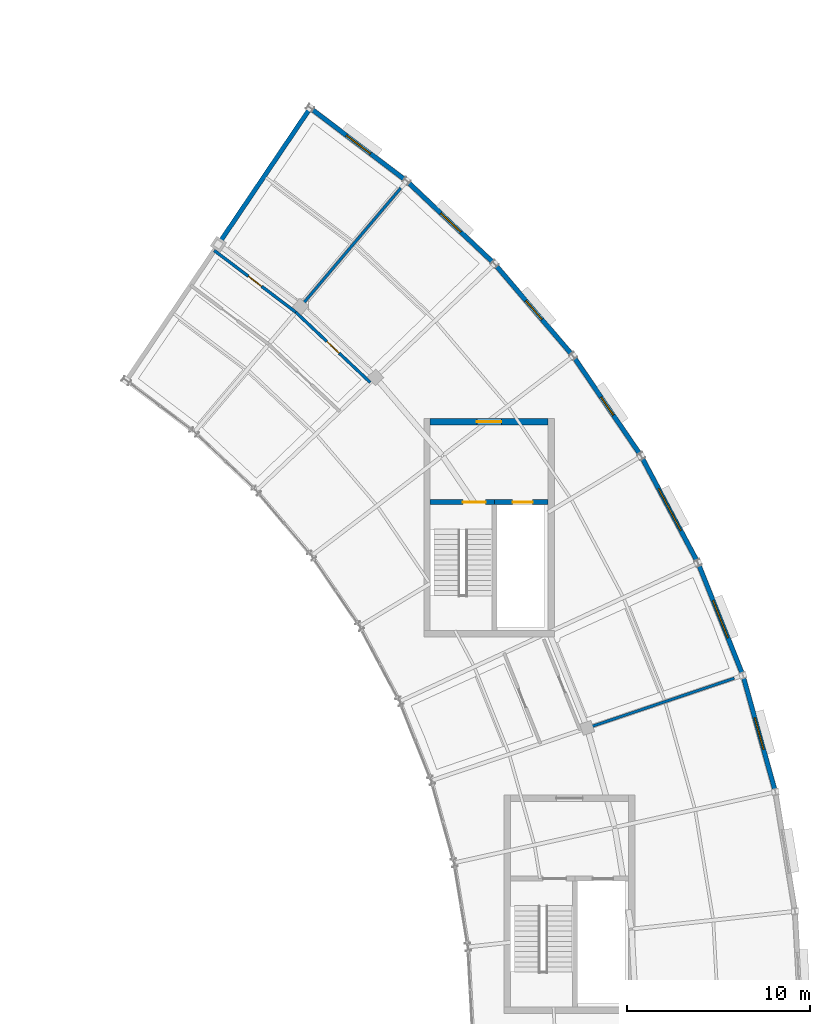
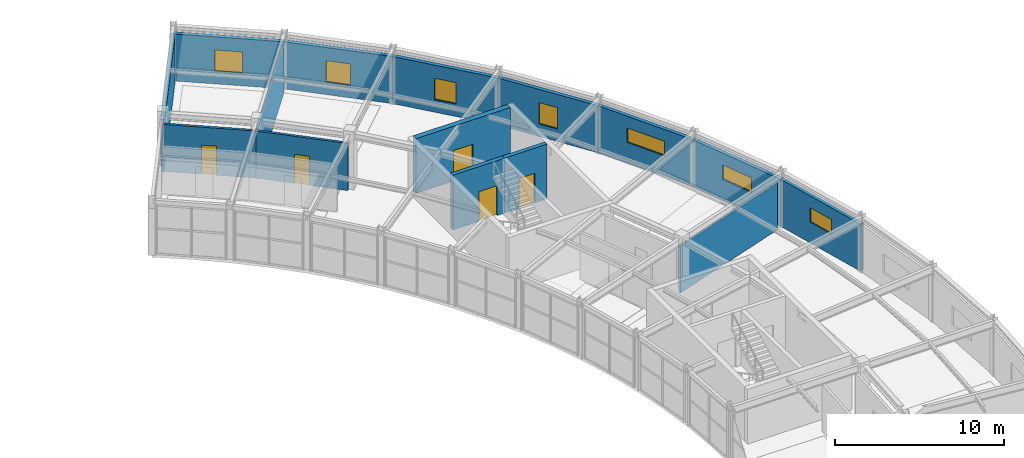
# One storey, part 50 of 63: 15 walls, 7 windows, 5 doors, 12 openings.
"""IFC4 building model written with IfcOpenShell, lengths in metres."""

from ifc_helpers import new_model, si_unit, direction, frame, frame_2d, origin, place, context, subcontext, project, spatial, rectangle, extrude, material, layer, layer_set, type_object, element, fill, save


model = new_model("IFC4")

# Units and contexts
model_context = context("Model", 3, precision=1e-05, world=origin(), true_north=direction((0.0, 1.0)))
body_context = subcontext(model_context, "Body", "Model", "MODEL_VIEW")
ifc_project = project(units=[si_unit("LENGTHUNIT", "METRE"), si_unit("AREAUNIT", "SQUARE_METRE"), si_unit("VOLUMEUNIT", "CUBIC_METRE"), si_unit("PLANEANGLEUNIT", "RADIAN"), si_unit("MASSUNIT", "GRAM", prefix="KILO")], contexts=[model_context])

# Site, building, storey
site_placement = place(None, origin())
site = spatial("IfcSite", under=ifc_project, at=site_placement, CompositionType="ELEMENT")
building_placement = place(site_placement, origin())
building = spatial("IfcBuilding", under=site, at=building_placement, Name="Tarnveldt Headland Concert Hall", CompositionType="ELEMENT")
storey_placement = place(building_placement, frame((0.0, 0.0, 14.39990234375)))
storey = spatial("IfcBuildingStorey", under=building, at=storey_placement, Name="L03", CompositionType="ELEMENT", Elevation=14.39990234375)

# Wall, opening, door
ifc_material_1 = material(Name="Concrete C40/50", Category="concrete")
ifc_layer_1 = layer(ifc_material_1, 0.35009765625, Name="Concrete C40/50", Category="concrete")
ifc_layer_set_1 = layer_set([ifc_layer_1], Name="Concrete C40/50")
wall_type_1 = type_object("IfcWallType", Name="WL-CR350", PredefinedType="SHEAR", material=ifc_layer_set_1)
wall_1_placement = place(storey_placement, frame((158.175048828125, 93.39990234375, 0.0), z_axis=(0.0, 0.0, 1.0), x_axis=(1.0, 0.0, 0.0)))
wall_1 = element("IfcWall", 1, at=wall_1_placement, inside=storey, type_object=wall_type_1, Name="Core C3 north shear wall L03", PredefinedType="SHEAR", context=body_context, shape_type="SweptSolid", body=[
    extrude(rectangle(XDim=6.449951171875, YDim=0.35009765625, at=frame_2d((3.22509765625, 0.0))), origin(), (0.0, 0.0, 1.0), 3.960205078125),
])
opening_1_placement = place(wall_1_placement, frame((2.550048828125, 0.0, 0.0)))
opening_1 = element("IfcOpeningElement", 2, at=opening_1_placement, cuts=wall_1, Name="Opening FFD-C3-L03", PredefinedType="OPENING", context=body_context, shape_type="SweptSolid", body=[
    extrude(rectangle(XDim=1.35009765625, YDim=2.199951171875, at=frame_2d((0.675048828125, 1.10009765625))), frame((0.0, 0.18505859375, 0.0), z_axis=(0.0, -1.0, 0.0), x_axis=(1.0, 0.0, 0.0)), (0.0, 0.0, 1.0), 0.3701171875),
])
ifc_material_2 = material(Name="Galvanised painted steel sheet", Category="steel")
door_type_1 = type_object("IfcDoorType", Name="DR-FF135", OperationType="NOTDEFINED", PredefinedType="DOOR", material=ifc_material_2)
door_1_placement = place(opening_1_placement, origin())
door_1 = element("IfcDoor", 3, at=door_1_placement, inside=storey, type_object=door_type_1, Name="Core C3 firefighting lobby entrance door L03", OperationType="SINGLE_SWING_LEFT", OverallHeight=2.199951171875, OverallWidth=1.35009765625, PredefinedType="DOOR", context=body_context, shape_type="SweptSolid", body=[
    extrude(rectangle(XDim=1.35009765625, YDim=2.199951171875, at=frame_2d((0.675048828125, 1.10009765625))), frame((0.0, 0.02490234375, 0.0), z_axis=(0.0, -1.0, 0.0), x_axis=(1.0, 0.0, 0.0)), (0.0, 0.0, 1.0), 0.050048828125),
])
fill(opening_1, door_1)

# Wall, opening, window
ifc_material_3 = material(Name="Coral-toned precast concrete C40/50", Category="concrete")
ifc_layer_2 = layer(ifc_material_3, 0.25, Name="Coral-toned precast concrete C40/50", Category="concrete")
ifc_layer_set_2 = layer_set([ifc_layer_2], Name="Coral-toned precast concrete C40/50")
wall_type_2 = type_object("IfcWallType", Name="WL-EX250", PredefinedType="SOLIDWALL", material=ifc_layer_set_2)
wall_2_placement = place(storey_placement, frame((175.296630859375, 79.50439453125, 0.0), z_axis=(0.0, 0.0, 1.0), x_axis=(0.268139380464, -0.96338012884, 0.0)))
wall_2 = element("IfcWall", 4, at=wall_2_placement, inside=storey, type_object=wall_type_2, Name="External precast wall L03-152", PredefinedType="SOLIDWALL", context=body_context, shape_type="SweptSolid", body=[
    extrude(rectangle(XDim=6.5810546875, YDim=0.25, at=frame_2d((3.29052734375, 0.0))), origin(), (0.0, 0.0, 1.0), 3.398193359375),
])
opening_2_placement = place(wall_2_placement, frame((2.390625, 0.0, 1.5)))
opening_2 = element("IfcOpeningElement", 5, at=opening_2_placement, cuts=wall_2, Name="Opening W-C074", PredefinedType="OPENING", context=body_context, shape_type="SweptSolid", body=[
    extrude(rectangle(XDim=1.800048828125, YDim=1.050048828125, at=frame_2d((0.89990234375, 0.52490234375))), frame((0.0, 0.135009765625, 0.0), z_axis=(0.0, -1.0, 0.0), x_axis=(1.0, 0.0, 0.0)), (0.0, 0.0, 1.0), 0.27001953125),
])
ifc_material_4 = material(Name="Acoustic laminated low-iron double glazing", Category="glass")
window_type_1 = type_object("IfcWindowType", Name="WN-24", PartitioningType="SINGLE_PANEL", PredefinedType="WINDOW", material=ifc_material_4)
window_1_placement = place(opening_2_placement, origin())
window_1 = element("IfcWindow", 6, at=window_1_placement, inside=storey, type_object=window_type_1, Name="Crescent coastal studio window L03-12", OverallHeight=1.050048828125, OverallWidth=1.800048828125, PartitioningType="SINGLE_PANEL", PredefinedType="WINDOW", context=body_context, shape_type="SweptSolid", body=[
    extrude(rectangle(XDim=1.800048828125, YDim=1.050048828125, at=frame_2d((0.89990234375, 0.52490234375))), frame((0.0, 0.030029296875, 0.0), z_axis=(0.0, -1.0, 0.0), x_axis=(1.0, 0.0, 0.0)), (0.0, 0.0, 1.0), 0.06005859375),
])
fill(opening_2, window_1)

wall_3_placement = place(storey_placement, frame((172.842041015625, 85.65380859375, 0.0), z_axis=(0.0, 0.0, 1.0), x_axis=(0.371013273361, -0.928627563122, 0.0)))
wall_3 = element("IfcWall", 7, at=wall_3_placement, inside=storey, type_object=wall_type_2, Name="External precast wall L03-153", PredefinedType="SOLIDWALL", context=body_context, shape_type="SweptSolid", body=[
    extrude(rectangle(XDim=6.5810546875, YDim=0.25, at=frame_2d((3.29052734375, 0.0))), origin(), (0.0, 0.0, 1.0), 3.398193359375),
])
opening_3_placement = place(wall_3_placement, frame((2.190673828125, 0.0, 1.5)))
opening_3 = element("IfcOpeningElement", 8, at=opening_3_placement, cuts=wall_3, Name="Opening W-C075", PredefinedType="OPENING", context=body_context, shape_type="SweptSolid", body=[
    extrude(rectangle(XDim=2.199951171875, YDim=1.050048828125, at=frame_2d((1.10009765625, 0.52490234375))), frame((0.0, 0.135009765625, 0.0), z_axis=(0.0, -1.0, 0.0), x_axis=(1.0, 0.0, 0.0)), (0.0, 0.0, 1.0), 0.27001953125),
])
window_type_2 = type_object("IfcWindowType", Name="WN-25", PartitioningType="SINGLE_PANEL", PredefinedType="WINDOW", material=ifc_material_4)
window_2_placement = place(opening_3_placement, origin())
window_2 = element("IfcWindow", 9, at=window_2_placement, inside=storey, type_object=window_type_2, Name="Crescent coastal studio window L03-13", OverallHeight=1.050048828125, OverallWidth=2.199951171875, PartitioningType="SINGLE_PANEL", PredefinedType="WINDOW", context=body_context, shape_type="SweptSolid", body=[
    extrude(rectangle(XDim=2.199951171875, YDim=1.050048828125, at=frame_2d((1.10009765625, 0.52490234375))), frame((0.0, 0.030029296875, 0.0), z_axis=(0.0, -1.0, 0.0), x_axis=(1.0, 0.0, 0.0)), (0.0, 0.0, 1.0), 0.06005859375),
])
fill(opening_3, window_2)

wall_4_placement = place(storey_placement, frame((169.735595703125, 91.5009765625, 0.0), z_axis=(0.0, 0.0, 1.0), x_axis=(0.469465310576, -0.882950917189, 0.0)))
wall_4 = element("IfcWall", 10, at=wall_4_placement, inside=storey, type_object=wall_type_2, Name="External precast wall L03-154", PredefinedType="SOLIDWALL", context=body_context, shape_type="SweptSolid", body=[
    extrude(rectangle(XDim=6.5810546875, YDim=0.25, at=frame_2d((3.29052734375, 0.0))), origin(), (0.0, 0.0, 1.0), 3.398193359375),
])
opening_4_placement = place(wall_4_placement, frame((1.990478515625, 0.0, 1.5)))
opening_4 = element("IfcOpeningElement", 11, at=opening_4_placement, cuts=wall_4, Name="Opening W-C076", PredefinedType="OPENING", context=body_context, shape_type="SweptSolid", body=[
    extrude(rectangle(XDim=2.60009765625, YDim=1.050048828125, at=frame_2d((1.300048828125, 0.52490234375))), frame((0.0, 0.135009765625, 0.0), z_axis=(0.0, -1.0, 0.0), x_axis=(1.0, 0.0, 0.0)), (0.0, 0.0, 1.0), 0.27001953125),
])
window_type_3 = type_object("IfcWindowType", Name="WN-26", PartitioningType="SINGLE_PANEL", PredefinedType="WINDOW", material=ifc_material_4)
window_3_placement = place(opening_4_placement, origin())
window_3 = element("IfcWindow", 12, at=window_3_placement, inside=storey, type_object=window_type_3, Name="Crescent coastal studio window L03-14", OverallHeight=1.050048828125, OverallWidth=2.60009765625, PartitioningType="SINGLE_PANEL", PredefinedType="WINDOW", context=body_context, shape_type="SweptSolid", body=[
    extrude(rectangle(XDim=2.60009765625, YDim=1.050048828125, at=frame_2d((1.300048828125, 0.52490234375))), frame((0.0, 0.030029296875, 0.0), z_axis=(0.0, -1.0, 0.0), x_axis=(1.0, 0.0, 0.0)), (0.0, 0.0, 1.0), 0.06005859375),
])
fill(opening_4, window_3)

wall_5_placement = place(storey_placement, frame((166.013671875, 96.97705078125, 0.0), z_axis=(0.0, 0.0, 1.0), x_axis=(0.56240640933, -0.826860950067, 0.0)))
wall_5 = element("IfcWall", 13, at=wall_5_placement, inside=storey, type_object=wall_type_2, Name="External precast wall L03-155", PredefinedType="SOLIDWALL", context=body_context, shape_type="SweptSolid", body=[
    extrude(rectangle(XDim=6.581298828125, YDim=0.25, at=frame_2d((3.29052734375, 0.0))), origin(), (0.0, 0.0, 1.0), 3.398193359375),
])
opening_5_placement = place(wall_5_placement, frame((2.690673828125, 0.0, 0.89990234375)))
opening_5 = element("IfcOpeningElement", 14, at=opening_5_placement, cuts=wall_5, Name="Opening W-C077", PredefinedType="OPENING", context=body_context, shape_type="SweptSolid", body=[
    extrude(rectangle(XDim=1.199951171875, YDim=1.550048828125, at=frame_2d((0.60009765625, 0.77490234375))), frame((0.0, 0.135009765625, 0.0), z_axis=(0.0, -1.0, 0.0), x_axis=(1.0, 0.0, 0.0)), (0.0, 0.0, 1.0), 0.27001953125),
])
window_type_4 = type_object("IfcWindowType", Name="WN-01", PartitioningType="SINGLE_PANEL", PredefinedType="WINDOW", material=ifc_material_4)
window_4_placement = place(opening_5_placement, origin())
window_4 = element("IfcWindow", 15, at=window_4_placement, inside=storey, type_object=window_type_4, Name="Crescent coastal studio window L03-15", OverallHeight=1.550048828125, OverallWidth=1.199951171875, PartitioningType="SINGLE_PANEL", PredefinedType="WINDOW", context=body_context, shape_type="SweptSolid", body=[
    extrude(rectangle(XDim=1.199951171875, YDim=1.550048828125, at=frame_2d((0.60009765625, 0.77490234375))), frame((0.0, 0.030029296875, 0.0), z_axis=(0.0, -1.0, 0.0), x_axis=(1.0, 0.0, 0.0)), (0.0, 0.0, 1.0), 0.06005859375),
])
fill(opening_5, window_4)

wall_6_placement = place(storey_placement, frame((161.72021484375, 102.017333984375, 0.0), z_axis=(0.0, 0.0, 1.0), x_axis=(0.648708464949, -0.761037007973, 0.0)))
wall_6 = element("IfcWall", 16, at=wall_6_placement, inside=storey, type_object=wall_type_2, Name="External precast wall L03-156", PredefinedType="SOLIDWALL", context=body_context, shape_type="SweptSolid", body=[
    extrude(rectangle(XDim=6.581298828125, YDim=0.25, at=frame_2d((3.29052734375, 0.0))), origin(), (0.0, 0.0, 1.0), 3.398193359375),
])
opening_6_placement = place(wall_6_placement, frame((2.615478515625, 0.0, 0.89990234375)))
opening_6 = element("IfcOpeningElement", 17, at=opening_6_placement, cuts=wall_6, Name="Opening W-C078", PredefinedType="OPENING", context=body_context, shape_type="SweptSolid", body=[
    extrude(rectangle(XDim=1.35009765625, YDim=1.550048828125, at=frame_2d((0.675048828125, 0.77490234375))), frame((0.0, 0.135009765625, 0.0), z_axis=(0.0, -1.0, 0.0), x_axis=(1.0, 0.0, 0.0)), (0.0, 0.0, 1.0), 0.27001953125),
])
window_type_5 = type_object("IfcWindowType", Name="WN-02", PartitioningType="SINGLE_PANEL", PredefinedType="WINDOW", material=ifc_material_4)
window_5_placement = place(opening_6_placement, origin())
window_5 = element("IfcWindow", 18, at=window_5_placement, inside=storey, type_object=window_type_5, Name="Crescent coastal studio window L03-16", OverallHeight=1.550048828125, OverallWidth=1.35009765625, PartitioningType="SINGLE_PANEL", PredefinedType="WINDOW", context=body_context, shape_type="SweptSolid", body=[
    extrude(rectangle(XDim=1.35009765625, YDim=1.550048828125, at=frame_2d((0.675048828125, 0.77490234375))), frame((0.0, 0.030029296875, 0.0), z_axis=(0.0, -1.0, 0.0), x_axis=(1.0, 0.0, 0.0)), (0.0, 0.0, 1.0), 0.06005859375),
])
fill(opening_6, window_5)

wall_7_placement = place(storey_placement, frame((156.905517578125, 106.5625, 0.0), z_axis=(0.0, 0.0, 1.0), x_axis=(0.727377231984, -0.686237832235, 0.0)))
wall_7 = element("IfcWall", 19, at=wall_7_placement, inside=storey, type_object=wall_type_2, Name="External precast wall L03-157", PredefinedType="SOLIDWALL", context=body_context, shape_type="SweptSolid", body=[
    extrude(rectangle(XDim=6.581298828125, YDim=0.25, at=frame_2d((3.29052734375, 0.0))), origin(), (0.0, 0.0, 1.0), 3.398193359375),
])
opening_7_placement = place(wall_7_placement, frame((2.540771484375, 0.0, 0.89990234375)))
opening_7 = element("IfcOpeningElement", 20, at=opening_7_placement, cuts=wall_7, Name="Opening W-C079", PredefinedType="OPENING", context=body_context, shape_type="SweptSolid", body=[
    extrude(rectangle(XDim=1.5, YDim=1.550048828125, at=frame_2d((0.75, 0.77490234375))), frame((0.0, 0.135009765625, 0.0), z_axis=(0.0, -1.0, 0.0), x_axis=(1.0, 0.0, 0.0)), (0.0, 0.0, 1.0), 0.27001953125),
])
window_type_6 = type_object("IfcWindowType", Name="WN-03", PartitioningType="SINGLE_PANEL", PredefinedType="WINDOW", material=ifc_material_4)
window_6_placement = place(opening_7_placement, origin())
window_6 = element("IfcWindow", 21, at=window_6_placement, inside=storey, type_object=window_type_6, Name="Crescent coastal studio window L03-17", OverallHeight=1.550048828125, OverallWidth=1.5, PartitioningType="SINGLE_PANEL", PredefinedType="WINDOW", context=body_context, shape_type="SweptSolid", body=[
    extrude(rectangle(XDim=1.5, YDim=1.550048828125, at=frame_2d((0.75, 0.77490234375))), frame((0.0, 0.030029296875, 0.0), z_axis=(0.0, -1.0, 0.0), x_axis=(1.0, 0.0, 0.0)), (0.0, 0.0, 1.0), 0.06005859375),
])
fill(opening_7, window_6)

wall_8_placement = place(storey_placement, frame((151.626708984375, 110.55908203125, 0.0), z_axis=(0.0, 0.0, 1.0), x_axis=(0.797477783019, -0.603348311998, 0.0)))
wall_8 = element("IfcWall", 22, at=wall_8_placement, inside=storey, type_object=wall_type_2, Name="External precast wall L03-158", PredefinedType="SOLIDWALL", context=body_context, shape_type="SweptSolid", body=[
    extrude(rectangle(XDim=6.5810546875, YDim=0.25, at=frame_2d((3.29052734375, 0.0))), origin(), (0.0, 0.0, 1.0), 3.398193359375),
])
opening_8_placement = place(wall_8_placement, frame((2.465576171875, 0.0, 0.89990234375)))
opening_8 = element("IfcOpeningElement", 23, at=opening_8_placement, cuts=wall_8, Name="Opening W-C080", PredefinedType="OPENING", context=body_context, shape_type="SweptSolid", body=[
    extrude(rectangle(XDim=1.64990234375, YDim=1.550048828125, at=frame_2d((0.824951171875, 0.77490234375))), frame((0.0, 0.135009765625, 0.0), z_axis=(0.0, -1.0, 0.0), x_axis=(1.0, 0.0, 0.0)), (0.0, 0.0, 1.0), 0.27001953125),
])
window_type_7 = type_object("IfcWindowType", Name="WN-04", PartitioningType="SINGLE_PANEL", PredefinedType="WINDOW", material=ifc_material_4)
window_7_placement = place(opening_8_placement, origin())
window_7 = element("IfcWindow", 24, at=window_7_placement, inside=storey, type_object=window_type_7, Name="Crescent coastal studio window L03-18", OverallHeight=1.550048828125, OverallWidth=1.64990234375, PartitioningType="SINGLE_PANEL", PredefinedType="WINDOW", context=body_context, shape_type="SweptSolid", body=[
    extrude(rectangle(XDim=1.64990234375, YDim=1.550048828125, at=frame_2d((0.824951171875, 0.77490234375))), frame((0.0, 0.030029296875, 0.0), z_axis=(0.0, -1.0, 0.0), x_axis=(1.0, 0.0, 0.0)), (0.0, 0.0, 1.0), 0.06005859375),
])
fill(opening_8, window_7)

# Walls
wall_9_placement = place(storey_placement, frame((146.589111328125, 103.126708984375, 0.0), z_axis=(0.0, 0.0, 1.0), x_axis=(0.559213098812, 0.829023950268, 0.0)))
element("IfcWall", 25, at=wall_9_placement, inside=storey, type_object=wall_type_2, Name="External precast wall L03-162", PredefinedType="SOLIDWALL", context=body_context, shape_type="SweptSolid", body=[
    extrude(rectangle(XDim=8.9599609375, YDim=0.25, at=frame_2d((4.47998046875, 0.0))), origin(), (0.0, 0.0, 1.0), 3.398193359375),
])
ifc_material_5 = material(Name="Acoustic multi-layer gypsum and mineral-wool partition", Category="gypsum")
ifc_layer_3 = layer(ifc_material_5, 0.14990234375, Name="Acoustic multi-layer gypsum and mineral-wool partition", Category="gypsum")
ifc_layer_set_3 = layer_set([ifc_layer_3], Name="Acoustic multi-layer gypsum and mineral-wool partition")
wall_type_3 = type_object("IfcWallType", Name="WL-PT150", PredefinedType="PARTITIONING", material=ifc_layer_set_3)
for number, where, z_axis, x_axis, name in (
    (26, (166.5751953125, 76.5791015625, 0.0), (0.0, 0.0, 1.0), (0.947390199596, 0.320080942435, 0.0), "Interior acoustic partition L03-214"),
    (27, (150.9501953125, 99.5517578125, 0.0), (0.0, 0.0, 1.0), (0.645745976221, 0.763552312677, 0.0), "Interior acoustic partition L03-219"),
):
    element("IfcWall", number, at=place(storey_placement, frame(where, z_axis=z_axis, x_axis=x_axis)), inside=storey, type_object=wall_type_3, Name=name, PredefinedType="PARTITIONING", context=body_context, shape_type="SweptSolid", body=[
        extrude(rectangle(XDim=8.699951171875, YDim=0.14990234375, at=frame_2d((4.35009765625, 0.0))), origin(), (0.0, 0.0, 1.0), 3.400146484375),
    ])

# Wall, opening, door
ifc_layer_4 = layer(ifc_material_5, 0.1650390625, Name="Acoustic multi-layer gypsum and mineral-wool partition", Category="gypsum")
ifc_layer_set_4 = layer_set([ifc_layer_4], Name="Acoustic multi-layer gypsum and mineral-wool partition")
wall_type_4 = type_object("IfcWallType", Name="WL-PT165", PredefinedType="PARTITIONING", material=ifc_layer_set_4)
wall_10_placement = place(storey_placement, frame((154.89501953125, 95.555419921875, 0.0), z_axis=(0.0, 0.0, 1.0), x_axis=(-0.727402273239, 0.686211288807, 0.0)))
wall_10 = element("IfcWall", 28, at=wall_10_placement, inside=storey, type_object=wall_type_4, Name="Interior acoustic partition L03-216", PredefinedType="PARTITIONING", context=body_context, shape_type="SweptSolid", body=[
    extrude(rectangle(XDim=5.60107421875, YDim=0.1650390625, at=frame_2d((2.800537109375, 0.0))), origin(), (0.0, 0.0, 1.0), 3.400146484375),
])
opening_9_placement = place(wall_10_placement, frame((2.340576171875, 0.0, 0.0)))
opening_9 = element("IfcOpeningElement", 29, at=opening_9_placement, cuts=wall_10, Name="Opening D-L03-218", PredefinedType="OPENING", context=body_context, shape_type="SweptSolid", body=[
    extrude(rectangle(XDim=0.919921875, YDim=2.10009765625, at=frame_2d((0.4599609375, 1.050048828125))), frame((0.0, 0.092529296875, 0.0), z_axis=(0.0, -1.0, 0.0), x_axis=(1.0, 0.0, 0.0)), (0.0, 0.0, 1.0), 0.18505859375),
])
ifc_material_6 = material(Name="Treated East African mvule hardwood", Category="wood")
door_type_2 = type_object("IfcDoorType", Name="DR-WC092", OperationType="NOTDEFINED", PredefinedType="DOOR", material=ifc_material_6)
door_2_placement = place(opening_9_placement, origin())
door_2 = element("IfcDoor", 30, at=door_2_placement, inside=storey, type_object=door_type_2, Name="Interior room door L03-218", OperationType="SINGLE_SWING_RIGHT", OverallHeight=2.10009765625, OverallWidth=0.919921875, PredefinedType="DOOR", context=body_context, shape_type="SweptSolid", body=[
    extrude(rectangle(XDim=0.919921875, YDim=2.10009765625, at=frame_2d((0.4599609375, 1.050048828125))), frame((0.0, 0.02490234375, 0.0), z_axis=(0.0, -1.0, 0.0), x_axis=(1.0, 0.0, 0.0)), (0.0, 0.0, 1.0), 0.050048828125),
])
fill(opening_9, door_2)

wall_11_placement = place(storey_placement, frame((150.82080078125, 99.39892578125, 0.0), z_axis=(0.0, 0.0, 1.0), x_axis=(-0.797450601932, 0.603384237015, 0.0)))
wall_11 = element("IfcWall", 31, at=wall_11_placement, inside=storey, type_object=wall_type_4, Name="Interior acoustic partition L03-218", PredefinedType="PARTITIONING", context=body_context, shape_type="SweptSolid", body=[
    extrude(rectangle(XDim=5.600830078125, YDim=0.1650390625, at=frame_2d((2.80029296875, 0.0))), origin(), (0.0, 0.0, 1.0), 3.400146484375),
])
opening_10_placement = place(wall_11_placement, frame((2.34033203125, 0.0, 0.0)))
opening_10 = element("IfcOpeningElement", 32, at=opening_10_placement, cuts=wall_11, Name="Opening D-L03-220", PredefinedType="OPENING", context=body_context, shape_type="SweptSolid", body=[
    extrude(rectangle(XDim=0.919921875, YDim=2.10009765625, at=frame_2d((0.4599609375, 1.050048828125))), frame((0.0, 0.092529296875, 0.0), z_axis=(0.0, -1.0, 0.0), x_axis=(1.0, 0.0, 0.0)), (0.0, 0.0, 1.0), 0.18505859375),
])
door_3_placement = place(opening_10_placement, origin())
door_3 = element("IfcDoor", 33, at=door_3_placement, inside=storey, type_object=door_type_2, Name="Interior room door L03-220", OperationType="SINGLE_SWING_RIGHT", OverallHeight=2.10009765625, OverallWidth=0.919921875, PredefinedType="DOOR", context=body_context, shape_type="SweptSolid", body=[
    extrude(rectangle(XDim=0.919921875, YDim=2.10009765625, at=frame_2d((0.4599609375, 1.050048828125))), frame((0.0, 0.02490234375, 0.0), z_axis=(0.0, -1.0, 0.0), x_axis=(1.0, 0.0, 0.0)), (0.0, 0.0, 1.0), 0.050048828125),
])
fill(opening_10, door_3)

ifc_layer_5 = layer(ifc_material_1, 0.27490234375, Name="Concrete C40/50", Category="concrete")
ifc_layer_set_5 = layer_set([ifc_layer_5], Name="Concrete C40/50")
wall_type_5 = type_object("IfcWallType", Name="WL-SH275", PredefinedType="SHEAR", material=ifc_layer_set_5)
wall_12_placement = place(storey_placement, frame((158.175048828125, 89.0, 0.0), z_axis=(0.0, 0.0, 1.0), x_axis=(1.0, 0.0, 0.0)))
wall_12 = element("IfcWall", 34, at=wall_12_placement, inside=storey, type_object=wall_type_5, Name="Core C3 stair enclosure wall L03", PredefinedType="SHEAR", context=body_context, shape_type="SweptSolid", body=[
    extrude(rectangle(XDim=3.52490234375, YDim=0.27490234375, at=frame_2d((1.762451171875, 0.0))), origin(), (0.0, 0.0, 1.0), 3.960205078125),
])
opening_11_placement = place(wall_12_placement, frame((1.784912109375, 0.0, 0.0)))
opening_11 = element("IfcOpeningElement", 35, at=opening_11_placement, cuts=wall_12, Name="Opening SD-C3-L03", PredefinedType="OPENING", context=body_context, shape_type="SweptSolid", body=[
    extrude(rectangle(XDim=1.25, YDim=2.14990234375, at=frame_2d((0.625, 1.074951171875))), frame((0.0, 0.1474609375, 0.0), z_axis=(0.0, -1.0, 0.0), x_axis=(1.0, 0.0, 0.0)), (0.0, 0.0, 1.0), 0.294921875),
])
door_type_3 = type_object("IfcDoorType", Name="DR-ST125", OperationType="NOTDEFINED", PredefinedType="DOOR", material=ifc_material_2)
door_4_placement = place(opening_11_placement, origin())
door_4 = element("IfcDoor", 36, at=door_4_placement, inside=storey, type_object=door_type_3, Name="Core C3 stair fire door L03", OperationType="SINGLE_SWING_RIGHT", OverallHeight=2.14990234375, OverallWidth=1.25, PredefinedType="DOOR", context=body_context, shape_type="SweptSolid", body=[
    extrude(rectangle(XDim=1.25, YDim=2.14990234375, at=frame_2d((0.625, 1.074951171875))), frame((0.0, 0.02490234375, 0.0), z_axis=(0.0, -1.0, 0.0), x_axis=(1.0, 0.0, 0.0)), (0.0, 0.0, 1.0), 0.050048828125),
])
fill(opening_11, door_4)

wall_13_placement = place(storey_placement, frame((161.699951171875, 89.0, 0.0), z_axis=(0.0, 0.0, 1.0), x_axis=(1.0, 0.0, 0.0)))
wall_13 = element("IfcWall", 37, at=wall_13_placement, inside=storey, type_object=wall_type_5, Name="Core C3 lift shaft front wall L03", PredefinedType="SHEAR", context=body_context, shape_type="SweptSolid", body=[
    extrude(rectangle(XDim=2.925048828125, YDim=0.27490234375, at=frame_2d((1.46240234375, 0.0))), origin(), (0.0, 0.0, 1.0), 3.960205078125),
])
opening_12_placement = place(wall_13_placement, frame((0.982421875, 0.0, 0.0)))
opening_12 = element("IfcOpeningElement", 38, at=opening_12_placement, cuts=wall_13, Name="Opening LD-FFL-02-L03", PredefinedType="OPENING", context=body_context, shape_type="SweptSolid", body=[
    extrude(rectangle(XDim=1.10009765625, YDim=2.14990234375, at=frame_2d((0.550048828125, 1.074951171875))), frame((0.0, 0.1474609375, 0.0), z_axis=(0.0, -1.0, 0.0), x_axis=(1.0, 0.0, 0.0)), (0.0, 0.0, 1.0), 0.294921875),
])
door_type_4 = type_object("IfcDoorType", Name="LD-110", OperationType="NOTDEFINED", PredefinedType="DOOR", material=ifc_material_2)
door_5_placement = place(opening_12_placement, origin())
door_5 = element("IfcDoor", 39, at=door_5_placement, inside=storey, type_object=door_type_4, Name="Lift FFL-02 sliding landing door L03", OperationType="DOUBLE_DOOR_SLIDING", OverallHeight=2.14990234375, OverallWidth=1.10009765625, PredefinedType="DOOR", context=body_context, shape_type="SweptSolid", body=[
    extrude(rectangle(XDim=1.10009765625, YDim=2.14990234375, at=frame_2d((0.550048828125, 1.074951171875))), frame((0.0, 0.02490234375, 0.0), z_axis=(0.0, -1.0, 0.0), x_axis=(1.0, 0.0, 0.0)), (0.0, 0.0, 1.0), 0.050048828125),
])
fill(opening_12, door_5)

save(model, "model.ifc")
